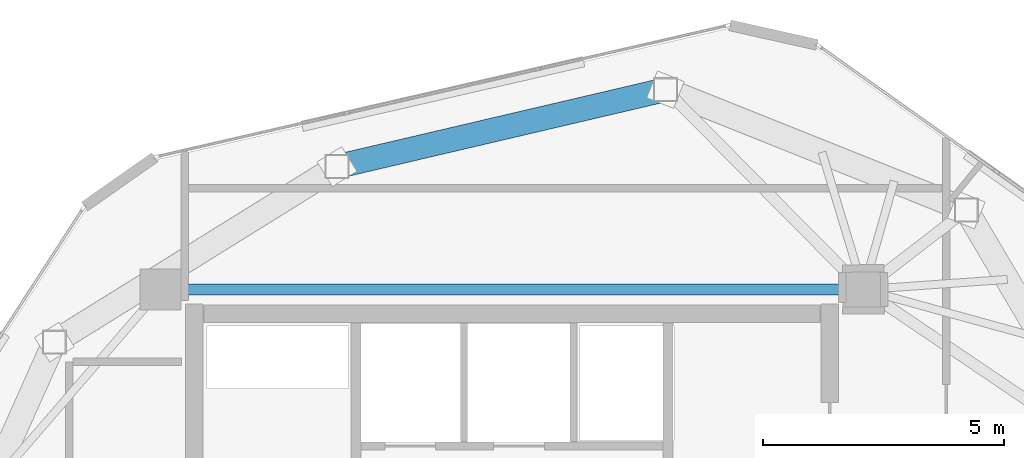
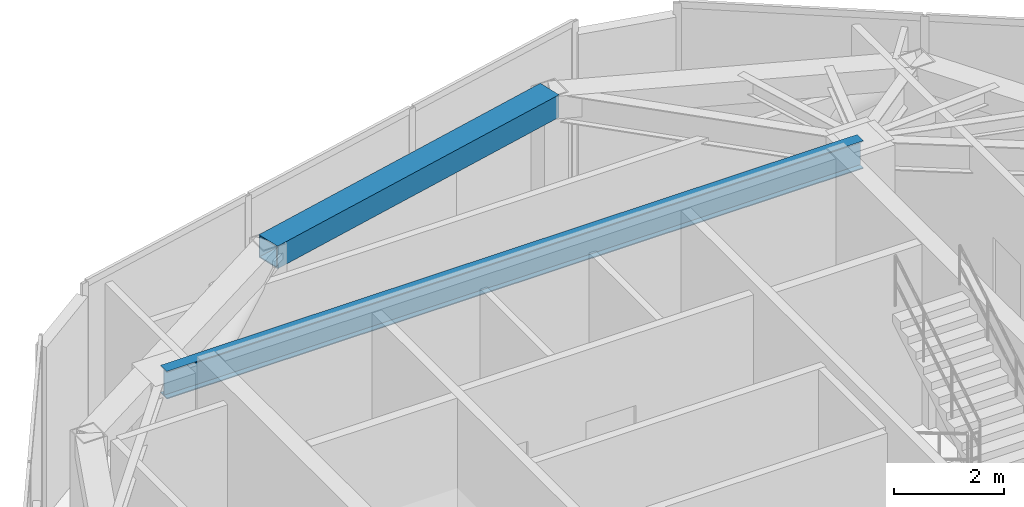
# One storey, part 11 of 21: 2 beams.
"""IFC4 building model written with IfcOpenShell, lengths in metres."""

import ifcopenshell
import ifcopenshell.guid

model = None  # the IFC model being written
_history = None  # IfcOwnerHistory: only IFC2X3 demands one
_inside = {}  # id of a spatial element -> (the spatial element, [elements in it])
_under = {}  # id of a project, library or spatial element -> (it, [spatial elements below it])
_declared = {}  # id of a project -> (the project, [libraries it declares])
_typed = {}  # id of a type object -> (the type object, [elements of that type])
_made_of = {}  # id of a material, layer set ... -> (it, [elements and type objects made of it])


def new_model(schema):
    """Start an empty IFC model of exactly this schema.

    Asked for "IFC4X3", IfcOpenShell would pick the latest addendum, in which some entities
    have other attributes; the version numbers below select the first issue.
    IFC2X3 requires an IfcOwnerHistory on every rooted entity: one is made here for all.
    """
    global model, _history
    if schema == "IFC4X3":
        model = ifcopenshell.file(schema_version=(4, 3, 0, 0))
    else:
        model = ifcopenshell.file(schema=schema)
    _inside.clear()
    _under.clear()
    _declared.clear()
    _typed.clear()
    _made_of.clear()
    _history = None
    if model.schema == "IFC2X3":
        org = make("IfcOrganization", Name="unknown")
        user = make(
            "IfcPersonAndOrganization",
            ThePerson=make("IfcPerson", FamilyName="unknown"),
            TheOrganization=org,
        )
        app = make(
            "IfcApplication",
            ApplicationDeveloper=org,
            Version="unknown",
            ApplicationFullName="unknown",
            ApplicationIdentifier="unknown",
        )
        _history = make(
            "IfcOwnerHistory",
            OwningUser=user,
            OwningApplication=app,
            ChangeAction="ADDED",
            CreationDate=0,
        )
    return model


def make(cls, **values):
    """One entity of the class cls with the attributes given. An attribute that is None is left unset."""
    return model.create_entity(
        cls, **{name: value for name, value in values.items() if value is not None}
    )


def rooted(cls, **values):
    """An entity with a GlobalId (a new one), such as an element, a storey or a relation."""
    return make(cls, GlobalId=ifcopenshell.guid.new(), OwnerHistory=_history, **values)


def si_unit(unit_type, name, prefix=None):
    """IfcSIUnit, for example si_unit("LENGTHUNIT", "METRE", prefix="MILLI")."""
    return make("IfcSIUnit", UnitType=unit_type, Prefix=prefix, Name=name)


def assignment(units):
    """IfcUnitAssignment: the units of a project."""
    return None if units is None else make("IfcUnitAssignment", Units=units)


def point(xyz):
    """IfcCartesianPoint."""
    return None if xyz is None else make("IfcCartesianPoint", Coordinates=xyz)


def direction(xyz):
    """IfcDirection."""
    return None if xyz is None else make("IfcDirection", DirectionRatios=xyz)


def frame(location, z_axis=None, x_axis=None):
    """IfcAxis2Placement3D, a coordinate frame: its origin and axes. An axis left out is left unset."""
    return make(
        "IfcAxis2Placement3D",
        Location=point(location),
        Axis=direction(z_axis),
        RefDirection=direction(x_axis),
    )


def frame_2d(location, x_axis=None):
    """IfcAxis2Placement2D, a coordinate frame in the plane: its origin and x axis."""
    return make(
        "IfcAxis2Placement2D", Location=point(location), RefDirection=direction(x_axis)
    )


def origin():
    """The frame at (0, 0, 0) with its axes left unset."""
    return frame((0.0, 0.0, 0.0))


def origin_2d():
    """The frame at (0, 0) in the plane with its x axis left unset."""
    return frame_2d((0.0, 0.0))


def place(relative_to, where):
    """IfcLocalPlacement: puts the frame where relative to a parent placement (None: the world)."""
    return make(
        "IfcLocalPlacement", PlacementRelTo=relative_to, RelativePlacement=where
    )


def context(
    kind, dimensions, precision=None, world=None, true_north=None, identifier=None
):
    """IfcGeometricRepresentationContext, for example the 3D "Model" context."""
    return make(
        "IfcGeometricRepresentationContext",
        ContextIdentifier=identifier,
        ContextType=kind,
        CoordinateSpaceDimension=dimensions,
        Precision=precision,
        WorldCoordinateSystem=world,
        TrueNorth=true_north,
    )


def subcontext(parent, identifier, kind, view, scale=None):
    """IfcGeometricRepresentationSubContext, for example "Body" below "Model"."""
    return make(
        "IfcGeometricRepresentationSubContext",
        ContextIdentifier=identifier,
        ContextType=kind,
        ParentContext=parent,
        TargetScale=scale,
        TargetView=view,
    )


def project(units=None, contexts=None):
    """IfcProject with its units and contexts."""
    return rooted(
        "IfcProject",
        Name="project",
        RepresentationContexts=contexts,
        UnitsInContext=assignment(units),
    )


def spatial(cls, under=None, at=None, **own):
    """A site, building, storey or space (cls), placed at a placement, below another one or the project."""
    s = rooted(cls, ObjectPlacement=at, **own)
    if under is not None:
        _under.setdefault(under.id(), (under, []))[1].append(s)
    return s


def profile(cls, at=None, kind="AREA", **sizes):
    """A parametric profile (cls). Its sizes go by their IFC names, for example OverallWidth=200.0."""
    return make(cls, ProfileType=kind, Position=at, **sizes)


def hollow_rectangle(**sizes):
    """IfcRectangleHollowProfileDef."""
    return profile("IfcRectangleHollowProfileDef", **sizes)


def i_section(**sizes):
    """IfcIShapeProfileDef."""
    return profile("IfcIShapeProfileDef", **sizes)


def extrude(swept, where, along, depth):
    """IfcExtrudedAreaSolid: the profile swept, set in the frame where, extruded along a direction by depth."""
    return make(
        "IfcExtrudedAreaSolid",
        SweptArea=swept,
        Position=where,
        ExtrudedDirection=direction(along),
        Depth=depth,
    )


def shape(context_of_items, identifier, shape_type, items):
    """IfcShapeRepresentation: the items that make up one representation, for example the "Body"."""
    return make(
        "IfcShapeRepresentation",
        ContextOfItems=context_of_items,
        RepresentationIdentifier=identifier,
        RepresentationType=shape_type,
        Items=items,
    )


def material(Name=None, Category=None):
    """IfcMaterial."""
    return make("IfcMaterial", Name=Name, Category=Category)


def material_profile(
    of_material, cross_section, Name=None, Category=None, Priority=None
):
    """IfcMaterialProfile: a cross section and its material."""
    return make(
        "IfcMaterialProfile",
        Name=Name,
        Material=of_material,
        Profile=cross_section,
        Priority=Priority,
        Category=Category,
    )


def profile_set(profiles, Name=None, composite=None):
    """IfcMaterialProfileSet."""
    return make(
        "IfcMaterialProfileSet",
        Name=Name,
        MaterialProfiles=profiles,
        CompositeProfile=composite,
    )


def made_of(thing, what):
    """Note that an element or type object is made of a material, layer set ...; save() writes the relation."""
    if what is not None:
        _made_of.setdefault(what.id(), (what, []))[1].append(thing)
    return thing


def type_object(cls, material=None, **own):
    """A type object (cls), such as IfcWallType, which elements share."""
    return made_of(rooted(cls, **own), material)


def element(
    cls,
    number,
    at=None,
    inside=None,
    cuts=None,
    type_object=None,
    material=None,
    context=None,
    identifier="Body",
    shape_type=None,
    held_by="IfcProductDefinitionShape",
    body=None,
    shapes=None,
    **own,
):
    """One element of the class cls, such as IfcWall. Its Tag is "e" and its number.

    at: its placement. inside: the storey or other place that contains it. cuts: it is an
    opening in that element (IfcRelVoidsElement). A single representation is given by context,
    identifier, shape_type and body (its items); several are given by shapes. held_by: the class
    of the entity that holds the representations. save() writes the other relations.
    """
    e = rooted(cls, Tag="e%d" % number, ObjectPlacement=at, **own)
    if body is not None:
        shapes = [shape(context, identifier, shape_type, body)]
    if shapes is not None:
        e.Representation = make(held_by, Representations=shapes)
    if inside is not None:
        _inside.setdefault(inside.id(), (inside, []))[1].append(e)
    if cuts is not None:
        rooted(
            "IfcRelVoidsElement", RelatingBuildingElement=cuts, RelatedOpeningElement=e
        )
    if type_object is not None:
        _typed.setdefault(type_object.id(), (type_object, []))[1].append(e)
    return made_of(e, material)


def aggregate(whole, parts):
    """IfcRelAggregates: a whole, such as a stair, and the parts it consists of."""
    return rooted("IfcRelAggregates", RelatingObject=whole, RelatedObjects=parts)


def save(model, path):
    """Write the relations noted so far, then the file.

    IfcRelAggregates (storeys below a building ...), IfcRelContainedInSpatialStructure (elements
    in a storey), IfcRelDefinesByType, IfcRelAssociatesMaterial and IfcRelDeclares: one each for
    every whole, place, type object, material and project.
    """
    for whole, parts in _under.values():
        aggregate(whole, parts)
    for where, things in _inside.values():
        rooted(
            "IfcRelContainedInSpatialStructure",
            RelatedElements=things,
            RelatingStructure=where,
        )
    for kind, things in _typed.values():
        rooted("IfcRelDefinesByType", RelatedObjects=things, RelatingType=kind)
    for what, things in _made_of.values():
        rooted("IfcRelAssociatesMaterial", RelatedObjects=things, RelatingMaterial=what)
    for by, libraries in _declared.values():
        rooted("IfcRelDeclares", RelatingContext=by, RelatedDefinitions=libraries)
    model.write(path)


model = new_model("IFC4")

# Units and contexts
model_context = context("Model", 3, precision=1e-05, world=origin(), true_north=direction((0.0, 1.0)))
body_context = subcontext(model_context, "Body", "Model", "MODEL_VIEW")
ifc_project = project(units=[si_unit("LENGTHUNIT", "METRE"), si_unit("AREAUNIT", "SQUARE_METRE"), si_unit("VOLUMEUNIT", "CUBIC_METRE"), si_unit("PLANEANGLEUNIT", "RADIAN"), si_unit("MASSUNIT", "GRAM", prefix="KILO")], contexts=[model_context])

# Site, building, storey
site_placement = place(None, origin())
site = spatial("IfcSite", under=ifc_project, at=site_placement, CompositionType="ELEMENT")
building_placement = place(site_placement, origin())
building = spatial("IfcBuilding", under=site, at=building_placement, Name="Talar Marvaseh", CompositionType="ELEMENT")
storey_placement = place(building_placement, frame((0.0, 0.0, 304.0)))
storey = spatial("IfcBuildingStorey", under=building, at=storey_placement, Name="L81", CompositionType="ELEMENT", Elevation=304.0)

# Beams
ifc_material_1 = material(Name="Steel S460", Category="steel")
ifc_material_profile_1 = material_profile(ifc_material_1, hollow_rectangle(XDim=0.5, YDim=0.5, WallThickness=0.02490234375, at=origin_2d()), Name="BOX500x500x25")
ifc_profile_set_1 = profile_set([ifc_material_profile_1], Name="Steel S460")
beam_type_1 = type_object("IfcBeamType", Name="Crown Frame Top Ring Beam BOX500x500x25", PredefinedType="BEAM", material=ifc_profile_set_1)
beam_1_placement = place(storey_placement, frame((22.364990234375, 39.4541015625, 3.489990234375), z_axis=(0.973655602276, 0.228023613157, 0.0), x_axis=(-0.228023613157, 0.973655602276, 0.0)))
element("IfcBeam", 1, at=beam_1_placement, inside=storey, type_object=beam_type_1, Name="L81 Crown Frame Top Ring Beam BOX500x500x25", PredefinedType="BEAM", context=body_context, shape_type="SweptSolid", body=[
    extrude(hollow_rectangle(XDim=0.5, YDim=0.5, WallThickness=0.02490234375, at=origin_2d()), origin(), (0.0, 0.0, 1.0), 7.007568359375),
])
ifc_material_2 = material(Name="Steel S355", Category="steel")
ifc_material_profile_2 = material_profile(ifc_material_2, i_section(OverallWidth=0.22998046875, OverallDepth=0.616943359375, WebThickness=0.01318359375, FlangeThickness=0.022216796875, at=origin_2d()), Name="W610x140")
ifc_profile_set_2 = profile_set([ifc_material_profile_2], Name="Steel S355")
beam_type_2 = type_object("IfcBeamType", Name="Zone 4 Radial Floor Girder W610x140", PredefinedType="BEAM", material=ifc_profile_set_2)
beam_2_placement = place(storey_placement, frame((18.699951171875, 36.89990234375, 3.431396484375), z_axis=(1.0, 0.0, 0.0), x_axis=(0.0, 1.0, 0.0)))
element("IfcBeam", 2, at=beam_2_placement, inside=storey, type_object=beam_type_2, Name="L81 Zone 4 Radial Floor Girder W610x140", PredefinedType="BEAM", context=body_context, shape_type="SweptSolid", body=[
    extrude(i_section(OverallWidth=0.22998046875, OverallDepth=0.616943359375, WebThickness=0.01318359375, FlangeThickness=0.022216796875, at=origin_2d()), origin(), (0.0, 0.0, 1.0), 14.60009765625),
])

save(model, "model.ifc")
